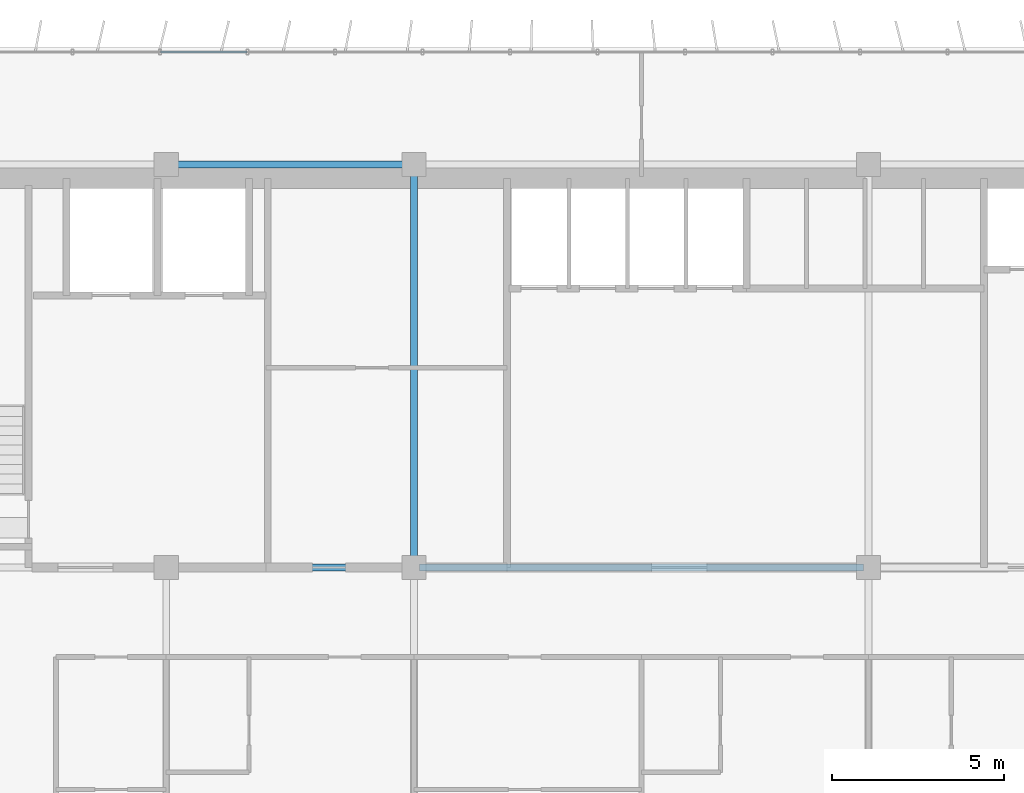
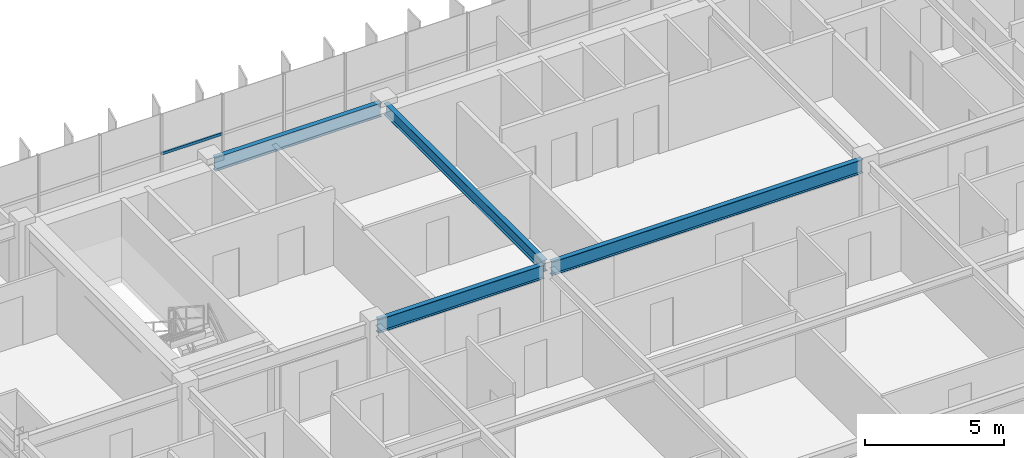
# One storey, part 5 of 21: 4 beams, 1 member, 1 element without a shape of its own.
"""IFC4 building model written with IfcOpenShell, lengths in metres."""

import ifcopenshell
import ifcopenshell.guid

model = None  # the IFC model being written
_history = None  # IfcOwnerHistory: only IFC2X3 demands one
_inside = {}  # id of a spatial element -> (the spatial element, [elements in it])
_under = {}  # id of a project, library or spatial element -> (it, [spatial elements below it])
_declared = {}  # id of a project -> (the project, [libraries it declares])
_typed = {}  # id of a type object -> (the type object, [elements of that type])
_made_of = {}  # id of a material, layer set ... -> (it, [elements and type objects made of it])


def new_model(schema):
    """Start an empty IFC model of exactly this schema.

    Asked for "IFC4X3", IfcOpenShell would pick the latest addendum, in which some entities
    have other attributes; the version numbers below select the first issue.
    IFC2X3 requires an IfcOwnerHistory on every rooted entity: one is made here for all.
    """
    global model, _history
    if schema == "IFC4X3":
        model = ifcopenshell.file(schema_version=(4, 3, 0, 0))
    else:
        model = ifcopenshell.file(schema=schema)
    _inside.clear()
    _under.clear()
    _declared.clear()
    _typed.clear()
    _made_of.clear()
    _history = None
    if model.schema == "IFC2X3":
        org = make("IfcOrganization", Name="unknown")
        user = make(
            "IfcPersonAndOrganization",
            ThePerson=make("IfcPerson", FamilyName="unknown"),
            TheOrganization=org,
        )
        app = make(
            "IfcApplication",
            ApplicationDeveloper=org,
            Version="unknown",
            ApplicationFullName="unknown",
            ApplicationIdentifier="unknown",
        )
        _history = make(
            "IfcOwnerHistory",
            OwningUser=user,
            OwningApplication=app,
            ChangeAction="ADDED",
            CreationDate=0,
        )
    return model


def make(cls, **values):
    """One entity of the class cls with the attributes given. An attribute that is None is left unset."""
    return model.create_entity(
        cls, **{name: value for name, value in values.items() if value is not None}
    )


def rooted(cls, **values):
    """An entity with a GlobalId (a new one), such as an element, a storey or a relation."""
    return make(cls, GlobalId=ifcopenshell.guid.new(), OwnerHistory=_history, **values)


def si_unit(unit_type, name, prefix=None):
    """IfcSIUnit, for example si_unit("LENGTHUNIT", "METRE", prefix="MILLI")."""
    return make("IfcSIUnit", UnitType=unit_type, Prefix=prefix, Name=name)


def assignment(units):
    """IfcUnitAssignment: the units of a project."""
    return None if units is None else make("IfcUnitAssignment", Units=units)


def point(xyz):
    """IfcCartesianPoint."""
    return None if xyz is None else make("IfcCartesianPoint", Coordinates=xyz)


def direction(xyz):
    """IfcDirection."""
    return None if xyz is None else make("IfcDirection", DirectionRatios=xyz)


def frame(location, z_axis=None, x_axis=None):
    """IfcAxis2Placement3D, a coordinate frame: its origin and axes. An axis left out is left unset."""
    return make(
        "IfcAxis2Placement3D",
        Location=point(location),
        Axis=direction(z_axis),
        RefDirection=direction(x_axis),
    )


def frame_2d(location, x_axis=None):
    """IfcAxis2Placement2D, a coordinate frame in the plane: its origin and x axis."""
    return make(
        "IfcAxis2Placement2D", Location=point(location), RefDirection=direction(x_axis)
    )


def origin():
    """The frame at (0, 0, 0) with its axes left unset."""
    return frame((0.0, 0.0, 0.0))


def origin_2d():
    """The frame at (0, 0) in the plane with its x axis left unset."""
    return frame_2d((0.0, 0.0))


def place(relative_to, where):
    """IfcLocalPlacement: puts the frame where relative to a parent placement (None: the world)."""
    return make(
        "IfcLocalPlacement", PlacementRelTo=relative_to, RelativePlacement=where
    )


def context(
    kind, dimensions, precision=None, world=None, true_north=None, identifier=None
):
    """IfcGeometricRepresentationContext, for example the 3D "Model" context."""
    return make(
        "IfcGeometricRepresentationContext",
        ContextIdentifier=identifier,
        ContextType=kind,
        CoordinateSpaceDimension=dimensions,
        Precision=precision,
        WorldCoordinateSystem=world,
        TrueNorth=true_north,
    )


def subcontext(parent, identifier, kind, view, scale=None):
    """IfcGeometricRepresentationSubContext, for example "Body" below "Model"."""
    return make(
        "IfcGeometricRepresentationSubContext",
        ContextIdentifier=identifier,
        ContextType=kind,
        ParentContext=parent,
        TargetScale=scale,
        TargetView=view,
    )


def project(units=None, contexts=None):
    """IfcProject with its units and contexts."""
    return rooted(
        "IfcProject",
        Name="project",
        RepresentationContexts=contexts,
        UnitsInContext=assignment(units),
    )


def spatial(cls, under=None, at=None, **own):
    """A site, building, storey or space (cls), placed at a placement, below another one or the project."""
    s = rooted(cls, ObjectPlacement=at, **own)
    if under is not None:
        _under.setdefault(under.id(), (under, []))[1].append(s)
    return s


def profile(cls, at=None, kind="AREA", **sizes):
    """A parametric profile (cls). Its sizes go by their IFC names, for example OverallWidth=200.0."""
    return make(cls, ProfileType=kind, Position=at, **sizes)


def hollow_rectangle(**sizes):
    """IfcRectangleHollowProfileDef."""
    return profile("IfcRectangleHollowProfileDef", **sizes)


def i_section(**sizes):
    """IfcIShapeProfileDef."""
    return profile("IfcIShapeProfileDef", **sizes)


def extrude(swept, where, along, depth):
    """IfcExtrudedAreaSolid: the profile swept, set in the frame where, extruded along a direction by depth."""
    return make(
        "IfcExtrudedAreaSolid",
        SweptArea=swept,
        Position=where,
        ExtrudedDirection=direction(along),
        Depth=depth,
    )


def shape(context_of_items, identifier, shape_type, items):
    """IfcShapeRepresentation: the items that make up one representation, for example the "Body"."""
    return make(
        "IfcShapeRepresentation",
        ContextOfItems=context_of_items,
        RepresentationIdentifier=identifier,
        RepresentationType=shape_type,
        Items=items,
    )


def source(mapping_origin, context_of_items, identifier, shape_type, items):
    """IfcRepresentationMap: a shape defined once, which mapped items show again and again."""
    return make(
        "IfcRepresentationMap",
        MappingOrigin=mapping_origin,
        MappedRepresentation=shape(context_of_items, identifier, shape_type, items),
    )


def transform(
    local_origin,
    x_axis=None,
    y_axis=None,
    z_axis=None,
    scale=None,
    scale2=None,
    scale3=None,
    uniform=True,
):
    """IfcCartesianTransformationOperator3D, or its non-uniform kind. x_axis, y_axis, z_axis: its Axis1, 2, 3."""
    if uniform:
        return make(
            "IfcCartesianTransformationOperator3D",
            Axis1=direction(x_axis),
            Axis2=direction(y_axis),
            LocalOrigin=point(local_origin),
            Scale=scale,
            Axis3=direction(z_axis),
        )
    return make(
        "IfcCartesianTransformationOperator3DnonUniform",
        Axis1=direction(x_axis),
        Axis2=direction(y_axis),
        LocalOrigin=point(local_origin),
        Scale=scale,
        Axis3=direction(z_axis),
        Scale2=scale2,
        Scale3=scale3,
    )


def mapped(mapping_source, mapping_target):
    """IfcMappedItem: shows the shape of a source again, moved by a transform."""
    return make(
        "IfcMappedItem", MappingSource=mapping_source, MappingTarget=mapping_target
    )


def material(Name=None, Category=None):
    """IfcMaterial."""
    return make("IfcMaterial", Name=Name, Category=Category)


def material_profile(
    of_material, cross_section, Name=None, Category=None, Priority=None
):
    """IfcMaterialProfile: a cross section and its material."""
    return make(
        "IfcMaterialProfile",
        Name=Name,
        Material=of_material,
        Profile=cross_section,
        Priority=Priority,
        Category=Category,
    )


def profile_set(profiles, Name=None, composite=None):
    """IfcMaterialProfileSet."""
    return make(
        "IfcMaterialProfileSet",
        Name=Name,
        MaterialProfiles=profiles,
        CompositeProfile=composite,
    )


def made_of(thing, what):
    """Note that an element or type object is made of a material, layer set ...; save() writes the relation."""
    if what is not None:
        _made_of.setdefault(what.id(), (what, []))[1].append(thing)
    return thing


def type_object(cls, material=None, **own):
    """A type object (cls), such as IfcWallType, which elements share."""
    return made_of(rooted(cls, **own), material)


def element(
    cls,
    number,
    at=None,
    inside=None,
    cuts=None,
    type_object=None,
    material=None,
    context=None,
    identifier="Body",
    shape_type=None,
    held_by="IfcProductDefinitionShape",
    body=None,
    shapes=None,
    **own,
):
    """One element of the class cls, such as IfcWall. Its Tag is "e" and its number.

    at: its placement. inside: the storey or other place that contains it. cuts: it is an
    opening in that element (IfcRelVoidsElement). A single representation is given by context,
    identifier, shape_type and body (its items); several are given by shapes. held_by: the class
    of the entity that holds the representations. save() writes the other relations.
    """
    e = rooted(cls, Tag="e%d" % number, ObjectPlacement=at, **own)
    if body is not None:
        shapes = [shape(context, identifier, shape_type, body)]
    if shapes is not None:
        e.Representation = make(held_by, Representations=shapes)
    if inside is not None:
        _inside.setdefault(inside.id(), (inside, []))[1].append(e)
    if cuts is not None:
        rooted(
            "IfcRelVoidsElement", RelatingBuildingElement=cuts, RelatedOpeningElement=e
        )
    if type_object is not None:
        _typed.setdefault(type_object.id(), (type_object, []))[1].append(e)
    return made_of(e, material)


def aggregate(whole, parts):
    """IfcRelAggregates: a whole, such as a stair, and the parts it consists of."""
    return rooted("IfcRelAggregates", RelatingObject=whole, RelatedObjects=parts)


def save(model, path):
    """Write the relations noted so far, then the file.

    IfcRelAggregates (storeys below a building ...), IfcRelContainedInSpatialStructure (elements
    in a storey), IfcRelDefinesByType, IfcRelAssociatesMaterial and IfcRelDeclares: one each for
    every whole, place, type object, material and project.
    """
    for whole, parts in _under.values():
        aggregate(whole, parts)
    for where, things in _inside.values():
        rooted(
            "IfcRelContainedInSpatialStructure",
            RelatedElements=things,
            RelatingStructure=where,
        )
    for kind, things in _typed.values():
        rooted("IfcRelDefinesByType", RelatedObjects=things, RelatingType=kind)
    for what, things in _made_of.values():
        rooted("IfcRelAssociatesMaterial", RelatedObjects=things, RelatingMaterial=what)
    for by, libraries in _declared.values():
        rooted("IfcRelDeclares", RelatingContext=by, RelatedDefinitions=libraries)
    model.write(path)


model = new_model("IFC4")

# Units and contexts
model_context = context("Model", 3, precision=1e-05, world=origin(), true_north=direction((0.0, 1.0)))
body_context = subcontext(model_context, "Body", "Model", "MODEL_VIEW")
ifc_project = project(units=[si_unit("LENGTHUNIT", "METRE"), si_unit("AREAUNIT", "SQUARE_METRE"), si_unit("VOLUMEUNIT", "CUBIC_METRE"), si_unit("PLANEANGLEUNIT", "RADIAN"), si_unit("MASSUNIT", "GRAM", prefix="KILO")], contexts=[model_context])

# Site, building, storey
site_placement = place(None, origin())
site = spatial("IfcSite", under=ifc_project, at=site_placement, CompositionType="ELEMENT")
building_placement = place(site_placement, origin())
building = spatial("IfcBuilding", under=site, at=building_placement, Name="Trelvane Seafront Commons", CompositionType="ELEMENT")
storey_placement = place(building_placement, frame((0.0, 0.0, 135.699951171875)))
storey = spatial("IfcBuildingStorey", under=building, at=storey_placement, Name="L35", CompositionType="ELEMENT", Elevation=135.699951171875)

# Beams
ifc_material_1 = material(Name="Steel SM355 (S355)", Category="steel")
ifc_material_profile_1 = material_profile(ifc_material_1, i_section(OverallWidth=0.199951171875, OverallDepth=0.5, WebThickness=0.010009765625, FlangeThickness=0.01611328125, at=origin_2d()), Name="H-500x200x10x16")
ifc_profile_set_1 = profile_set([ifc_material_profile_1], Name="Steel SM355 (S355)")
beam_type_1 = type_object("IfcBeamType", Name="STR-BM-H500", PredefinedType="BEAM", material=ifc_profile_set_1)
shared_shape_1 = source(origin(), body_context, "Body", "SweptSolid", [
    extrude(i_section(OverallWidth=0.199951171875, OverallDepth=0.5, WebThickness=0.010009765625, FlangeThickness=0.01611328125, at=origin_2d()), origin(), (0.0, 0.0, 1.0), 11.39990234375),
])
beam_1_placement = place(storey_placement, frame((30.60009765625, 33.550048828125, 3.10009765625), z_axis=(0.0, 1.0, 0.0), x_axis=(-1.0, 0.0, 0.0)))
element("IfcBeam", 1, at=beam_1_placement, inside=storey, type_object=beam_type_1, Name="L35 Primary Girder G-40", PredefinedType="BEAM", context=body_context, shape_type="MappedRepresentation", body=[
    mapped(shared_shape_1, transform((0.0, 0.0, 0.0), x_axis=(1.0, 0.0, 0.0), y_axis=(0.0, 1.0, 0.0), z_axis=(0.0, 0.0, 1.0), scale=1.0)),
])
ifc_material_profile_2 = material_profile(ifc_material_1, i_section(OverallWidth=0.199951171875, OverallDepth=0.60009765625, WebThickness=0.010986328125, FlangeThickness=0.01708984375, at=origin_2d()), Name="H-600x200x11x17")
ifc_profile_set_2 = profile_set([ifc_material_profile_2], Name="Steel SM355 (S355)")
beam_type_2 = type_object("IfcBeamType", Name="STR-SPD-H600", PredefinedType="SPANDREL", material=ifc_profile_set_2)
shared_shape_2 = source(origin(), body_context, "Body", "SweptSolid", [
    extrude(i_section(OverallWidth=0.199951171875, OverallDepth=0.60009765625, WebThickness=0.010986328125, FlangeThickness=0.01708984375, at=origin_2d()), origin(), (0.0, 0.0, 1.0), 12.89990234375),
])
beam_2_placement = place(storey_placement, frame((30.75, 33.39990234375, 3.050048828125), z_axis=(1.0, 0.0, 0.0), x_axis=(0.0, 1.0, 0.0)))
element("IfcBeam", 2, at=beam_2_placement, inside=storey, type_object=beam_type_2, Name="L35 Primary Girder G-18", PredefinedType="SPANDREL", context=body_context, shape_type="MappedRepresentation", body=[
    mapped(shared_shape_2, transform((0.0, 0.0, 0.0), x_axis=(1.0, 0.0, 0.0), y_axis=(0.0, 1.0, 0.0), z_axis=(0.0, 0.0, 1.0), scale=1.0)),
])
shared_shape_3 = source(origin(), body_context, "Body", "SweptSolid", [
    extrude(i_section(OverallWidth=0.199951171875, OverallDepth=0.60009765625, WebThickness=0.010986328125, FlangeThickness=0.01708984375, at=origin_2d()), origin(), (0.0, 0.0, 1.0), 6.89990234375),
])
for number, where, z_axis, x_axis, name in (
    (3, (23.550048828125, 33.39990234375, 3.050048828125), (1.0, 0.0, 0.0), (0.0, 1.0, 0.0), "L35 Primary Girder G-17"),
    (4, (23.550048828125, 45.10009765625, 3.050048828125), (1.0, 0.0, 0.0), (0.0, 1.0, 0.0), "L35 Primary Girder G-24"),
):
    element("IfcBeam", number, at=place(storey_placement, frame(where, z_axis=z_axis, x_axis=x_axis)), inside=storey, type_object=beam_type_2, Name=name, PredefinedType="SPANDREL", context=body_context, shape_type="MappedRepresentation", body=[
        mapped(shared_shape_3, transform((0.0, 0.0, 0.0), x_axis=(1.0, 0.0, 0.0), y_axis=(0.0, 1.0, 0.0), z_axis=(0.0, 0.0, 1.0), scale=1.0)),
    ])

# Curtain wall, member
ifc_material_2 = material(Name="Anodised pale-silver aluminium", Category="aluminium")
curtain_wall_type = type_object("IfcCurtainWallType", Name="ARCH-CW5-UPTOWER", PredefinedType="NOTDEFINED", material=ifc_material_2)
curtain_wall_placement = place(storey_placement, origin())
curtain_wall = element("IfcCurtainWall", 5, at=curtain_wall_placement, inside=storey, type_object=curtain_wall_type, Name="CW-L35-0062", PredefinedType="NOTDEFINED")
ifc_material_profile_3 = material_profile(ifc_material_2, hollow_rectangle(XDim=0.070068359375, YDim=0.1201171875, WallThickness=0.00390625, at=origin_2d()), Name="TRAN-70x120x4")
ifc_profile_set_3 = profile_set([ifc_material_profile_3], Name="Anodised pale-silver aluminium")
member_type = type_object("IfcMemberType", Name="ARCH-CW-TRAN-120", PredefinedType="USERDEFINED", material=ifc_profile_set_3)
shared_shape_4 = source(origin(), body_context, "Body", "SweptSolid", [
    extrude(hollow_rectangle(XDim=0.070068359375, YDim=0.1201171875, WallThickness=0.00390625, at=origin_2d()), origin(), (0.0, 0.0, 1.0), 2.51708984375),
])
member_placement = place(storey_placement, frame((23.235595703125, 48.3701171875, 1.608154296875), z_axis=(1.0, 0.0, 0.0), x_axis=(0.0, 1.0, 0.0)))
member = element("IfcMember", 6, at=member_placement, type_object=member_type, Name="CW-L35-0062-T03", ObjectType="TRANSOM", PredefinedType="USERDEFINED", context=body_context, shape_type="MappedRepresentation", body=[
    mapped(shared_shape_4, transform((0.0, 0.0, 0.0), x_axis=(1.0, 0.0, 0.0), y_axis=(0.0, 1.0, 0.0), z_axis=(0.0, 0.0, 1.0), scale=1.0)),
])
aggregate(curtain_wall, [member])

save(model, "model.ifc")
